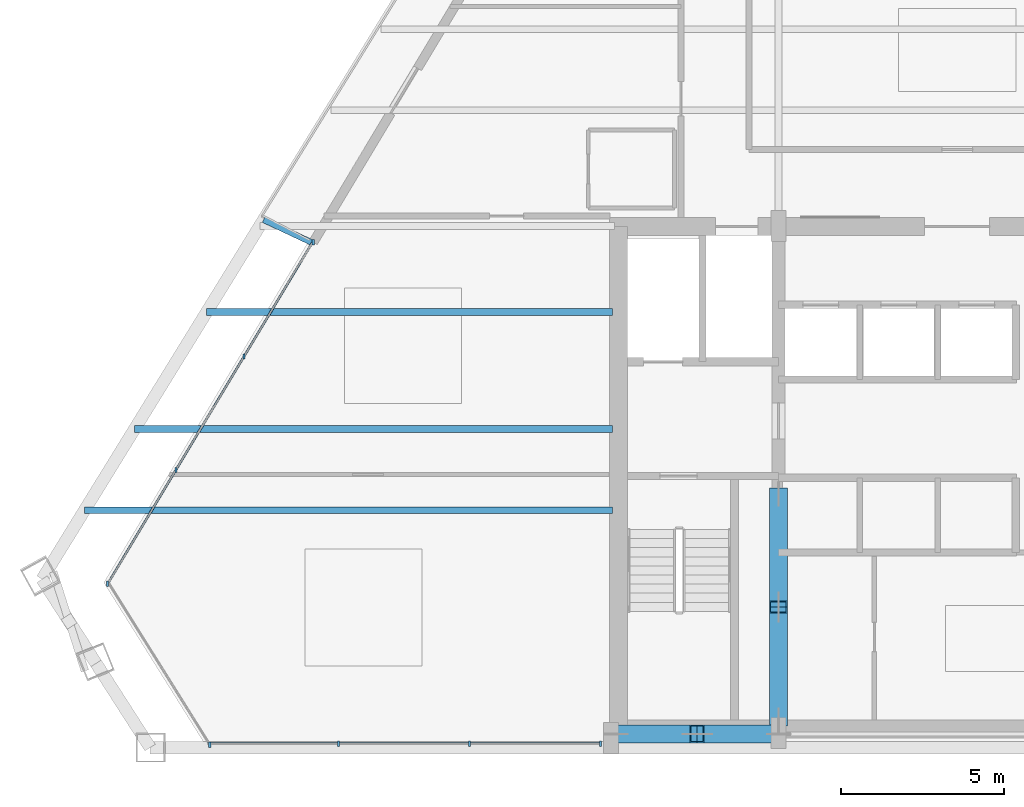
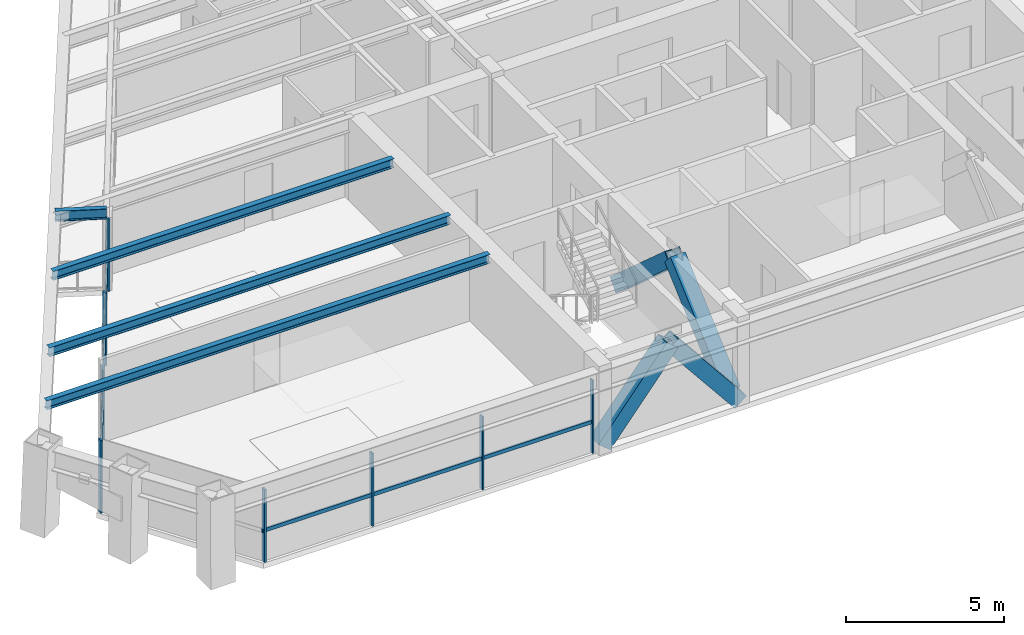
# One storey, part 2 of 12: 18 members, 4 beams, 3 elements without a shape of their own.
"""IFC4 building model written with IfcOpenShell, lengths in metres."""

from ifc_helpers import new_model, si_unit, direction, frame, origin, origin_2d, place, context, subcontext, project, spatial, rectangle, hollow_rectangle, i_section, extrude, source, transform, mapped, material, material_profile, profile_set, type_object, type_shapes, element, aggregate, save


model = new_model("IFC4")

# Units and contexts
model_context = context("Model", 3, precision=1e-05, world=origin(), true_north=direction((0.0, 1.0)))
body_context = subcontext(model_context, "Body", "Model", "MODEL_VIEW")
ifc_project = project(units=[si_unit("LENGTHUNIT", "METRE"), si_unit("AREAUNIT", "SQUARE_METRE"), si_unit("VOLUMEUNIT", "CUBIC_METRE"), si_unit("PLANEANGLEUNIT", "RADIAN"), si_unit("MASSUNIT", "GRAM", prefix="KILO")], contexts=[model_context])

# Site, building, storey
site_placement = place(None, origin())
site = spatial("IfcSite", under=ifc_project, at=site_placement, CompositionType="ELEMENT")
building_placement = place(site_placement, origin())
building = spatial("IfcBuilding", under=site, at=building_placement, Name="Varnakhor Terracotta Tower", CompositionType="ELEMENT")
storey_placement = place(building_placement, frame((0.0, 0.0, 220.0)))
storey = spatial("IfcBuildingStorey", under=building, at=storey_placement, Name="L56", CompositionType="ELEMENT", Elevation=220.0)

# Beams
ifc_material_1 = material(Name="Steel S355", Category="steel")
ifc_material_profile_1 = material_profile(ifc_material_1, i_section(OverallWidth=0.202880859375, OverallDepth=0.346923828125, WebThickness=0.0078125, FlangeThickness=0.013427734375, FilletRadius=0.01806640625, at=origin_2d()), Name="W14X43")
ifc_profile_set_1 = profile_set([ifc_material_profile_1], Name="Steel S355")
beam_type_1 = type_object("IfcBeamType", Name="JST-W14X43", PredefinedType="JOIST", material=ifc_profile_set_1)
shared_shape_1 = source(origin(), body_context, "Body", "SweptSolid", [
    extrude(i_section(OverallWidth=0.202880859375, OverallDepth=0.346923828125, WebThickness=0.0078125, FlangeThickness=0.013427734375, FilletRadius=0.01806640625, at=origin_2d()), origin(), (0.0, 0.0, 1.0), 16.24560546875),
])
beam_1_placement = place(storey_placement, frame((-26.845703125, 7.300048828125, 3.06640625), z_axis=(1.0, 0.0, 0.0), x_axis=(0.0, 1.0, 0.0)))
element("IfcBeam", 1, at=beam_1_placement, inside=storey, type_object=beam_type_1, Name="L56 Floor Joist W1", PredefinedType="JOIST", context=body_context, shape_type="MappedRepresentation", body=[
    mapped(shared_shape_1, transform((0.0, 0.0, 0.0), scale=1.0)),
])
shared_shape_2 = source(origin(), body_context, "Body", "SweptSolid", [
    extrude(i_section(OverallWidth=0.202880859375, OverallDepth=0.346923828125, WebThickness=0.0078125, FlangeThickness=0.013427734375, FilletRadius=0.01806640625, at=origin_2d()), origin(), (0.0, 0.0, 1.0), 14.705322265625),
])
beam_2_placement = place(storey_placement, frame((-25.305419921875, 9.800048828125, 3.06640625), z_axis=(1.0, 0.0, 0.0), x_axis=(0.0, 1.0, 0.0)))
element("IfcBeam", 2, at=beam_2_placement, inside=storey, type_object=beam_type_1, Name="L56 Floor Joist W2", PredefinedType="JOIST", context=body_context, shape_type="MappedRepresentation", body=[
    mapped(shared_shape_2, transform((0.0, 0.0, 0.0), scale=1.0)),
])
shared_shape_3 = source(origin(), body_context, "Body", "SweptSolid", [
    extrude(i_section(OverallWidth=0.202880859375, OverallDepth=0.346923828125, WebThickness=0.0078125, FlangeThickness=0.013427734375, FilletRadius=0.01806640625, at=origin_2d()), origin(), (0.0, 0.0, 1.0), 12.48681640625),
])
beam_3_placement = place(storey_placement, frame((-23.0869140625, 13.39990234375, 3.06640625), z_axis=(1.0, 0.0, 0.0), x_axis=(0.0, 1.0, 0.0)))
element("IfcBeam", 3, at=beam_3_placement, inside=storey, type_object=beam_type_1, Name="L56 Floor Joist W3", PredefinedType="JOIST", context=body_context, shape_type="MappedRepresentation", body=[
    mapped(shared_shape_3, transform((0.0, 0.0, 0.0), scale=1.0)),
])

# Members
ifc_material_profile_2 = material_profile(ifc_material_1, hollow_rectangle(XDim=0.550048828125, YDim=0.550048828125, WallThickness=0.034912109375, at=origin_2d()), Name="HSS550X550X35")
ifc_profile_set_2 = profile_set([ifc_material_profile_2], Name="Steel S355")
member_type_1 = type_object("IfcMemberType", Name="MBR-MEGA-550", PredefinedType="BRACE", material=ifc_profile_set_2)
shared_shape_4 = source(origin(), body_context, "Body", "SweptSolid", [
    extrude(hollow_rectangle(XDim=0.550048828125, YDim=0.550048828125, WallThickness=0.034912109375, at=origin_2d()), origin(), (0.0, 0.0, 1.0), 3.974853515625),
])
for number, where, z_axis, x_axis, name in (
    (4, (-10.5, 0.419921875, 0.0), (0.628970263838, 0.0, 0.777429358339), (0.0, 1.0, 0.0), "L56 Core Coupled Brace CSWA"),
    (5, (-5.5, 0.419921875, 0.0), (-0.628970263838, 0.0, 0.777429358339), (0.0, -1.0, 0.0), "L56 Core Coupled Brace CSWB"),
):
    element("IfcMember", number, at=place(storey_placement, frame(where, z_axis=z_axis, x_axis=x_axis)), inside=storey, type_object=member_type_1, Name=name, PredefinedType="BRACE", context=body_context, shape_type="MappedRepresentation", body=[
        mapped(shared_shape_4, transform((0.0, 0.0, 0.0), scale=1.0)),
    ])
shared_shape_5 = source(origin(), body_context, "Body", "SweptSolid", [
    extrude(hollow_rectangle(XDim=0.550048828125, YDim=0.550048828125, WallThickness=0.034912109375, at=origin_2d()), origin(), (0.0, 0.0, 1.0), 4.650146484375),
])
for number, where, z_axis, x_axis, name in (
    (6, (-5.5, 0.85009765625, 0.0), (0.0, 0.74726736397, 0.664523503532), (-1.0, 0.0, 0.0), "L56 Core Coupled Brace CWWA"),
    (7, (-5.5, 7.800048828125, 0.0), (0.0, -0.74729054724, 0.664497432655), (1.0, 0.0, 0.0), "L56 Core Coupled Brace CWWB"),
):
    element("IfcMember", number, at=place(storey_placement, frame(where, z_axis=z_axis, x_axis=x_axis)), inside=storey, type_object=member_type_1, Name=name, PredefinedType="BRACE", context=body_context, shape_type="MappedRepresentation", body=[
        mapped(shared_shape_5, transform((0.0, 0.0, 0.0), scale=1.0)),
    ])

# Curtain wall, members
ifc_material_2 = material(Name="Anodised Aluminium Curtain Wall System", Category="aluminium")
curtain_wall_type = type_object("IfcCurtainWallType", Name="CW-SYS-HOTEL-LOGGIA", PredefinedType="NOTDEFINED", material=ifc_material_2)
curtain_wall_1_placement = place(storey_placement, origin())
curtain_wall_1 = element("IfcCurtainWall", 8, at=curtain_wall_1_placement, inside=storey, type_object=curtain_wall_type, Name="L56 W Facet Curtain Wall 1", PredefinedType="NOTDEFINED")
ifc_material_3 = material(Name="Anodised Aluminium 6063-T6", Category="aluminium")
ifc_material_profile_3 = material_profile(ifc_material_3, rectangle(XDim=0.06494140625, YDim=0.159912109375, at=origin_2d()), Name="ALU MULLION 65x160")
ifc_profile_set_3 = profile_set([ifc_material_profile_3], Name="Anodised Aluminium 6063-T6")
member_type_2 = type_object("IfcMemberType", Name="CWM-04", PredefinedType="MULLION", material=ifc_profile_set_3)
shared_shape_6 = source(origin(), body_context, "Body", "SweptSolid", [
    extrude(rectangle(XDim=0.06494140625, YDim=0.159912109375, at=origin_2d()), origin(), (0.0, 0.0, 1.0), 2.820068359375),
])
type_shapes(member_type_2, [shared_shape_6])
member_1_placement = place(storey_placement, frame((-26.134765625, 5.037353515625, 0.0), z_axis=(0.0, 0.0, 1.0), x_axis=(1.0, 0.0, 0.0)))
member_1 = element("IfcMember", 9, at=member_1_placement, type_object=member_type_2, Name="L56 W Facet Curtain Wall 1 Mullion 1", PredefinedType="MULLION", context=body_context, shape_type="MappedRepresentation", body=[
    mapped(shared_shape_6, transform((0.0, 0.0, 0.0), scale=1.0)),
])
member_2_placement = place(storey_placement, frame((-24.036865234375, 8.53515625, 0.0), z_axis=(0.0, 0.0, 1.0), x_axis=(1.0, 0.0, 0.0)))
member_2 = element("IfcMember", 10, at=member_2_placement, type_object=member_type_2, Name="L56 W Facet Curtain Wall 1 Mullion 2", PredefinedType="MULLION", context=body_context, shape_type="MappedRepresentation", body=[
    mapped(shared_shape_6, transform((0.0, 0.0, 0.0), scale=1.0)),
])
member_3_placement = place(storey_placement, frame((-21.93896484375, 12.03271484375, 0.0), z_axis=(0.0, 0.0, 1.0), x_axis=(1.0, 0.0, 0.0)))
member_3 = element("IfcMember", 11, at=member_3_placement, type_object=member_type_2, Name="L56 W Facet Curtain Wall 1 Mullion 3", PredefinedType="MULLION", context=body_context, shape_type="MappedRepresentation", body=[
    mapped(shared_shape_6, transform((0.0, 0.0, 0.0), scale=1.0)),
])
member_4_placement = place(storey_placement, frame((-19.808349609375, 15.5458984375, 0.0), z_axis=(0.0, 0.0, 1.0), x_axis=(1.0, 0.0, 0.0)))
member_4 = element("IfcMember", 12, at=member_4_placement, type_object=member_type_2, Name="L56 W Loggia Jamb Closure Mullion 1", PredefinedType="MULLION", context=body_context, shape_type="MappedRepresentation", body=[
    mapped(shared_shape_6, transform((0.0, 0.0, 0.0), scale=1.0)),
])

curtain_wall_2_placement = place(storey_placement, origin())
curtain_wall_2 = element("IfcCurtainWall", 13, at=curtain_wall_2_placement, inside=storey, type_object=curtain_wall_type, Name="L56 South Wing Curtain Wall SSW", PredefinedType="NOTDEFINED")
member_5_placement = place(storey_placement, frame((-10.969970703125, 0.1201171875, 0.0), z_axis=(0.0, 0.0, 1.0), x_axis=(1.0, 0.0, 0.0)))
member_5 = element("IfcMember", 14, at=member_5_placement, type_object=member_type_2, Name="L56 South Wing Curtain Wall SSW Mullion 1", PredefinedType="MULLION", context=body_context, shape_type="MappedRepresentation", body=[
    mapped(shared_shape_6, transform((0.0, 0.0, 0.0), scale=1.0)),
])
member_6_placement = place(storey_placement, frame((-15.002685546875, 0.1201171875, 0.0), z_axis=(0.0, 0.0, 1.0), x_axis=(1.0, 0.0, 0.0)))
member_6 = element("IfcMember", 15, at=member_6_placement, type_object=member_type_2, Name="L56 South Wing Curtain Wall SSW Mullion 2", PredefinedType="MULLION", context=body_context, shape_type="MappedRepresentation", body=[
    mapped(shared_shape_6, transform((0.0, 0.0, 0.0), scale=1.0)),
])
member_7_placement = place(storey_placement, frame((-19.03515625, 0.1201171875, 0.0), z_axis=(0.0, 0.0, 1.0), x_axis=(1.0, 0.0, 0.0)))
member_7 = element("IfcMember", 16, at=member_7_placement, type_object=member_type_2, Name="L56 South Wing Curtain Wall SSW Mullion 3", PredefinedType="MULLION", context=body_context, shape_type="MappedRepresentation", body=[
    mapped(shared_shape_6, transform((0.0, 0.0, 0.0), scale=1.0)),
])

# Curtain wall, member
curtain_wall_3_placement = place(storey_placement, origin())
curtain_wall_3 = element("IfcCurtainWall", 17, at=curtain_wall_3_placement, inside=storey, type_object=curtain_wall_type, Name="L56 Facet Curtain Wall 6", PredefinedType="NOTDEFINED")
member_8_placement = place(storey_placement, frame((-22.991943359375, 0.089111328125, 0.0), z_axis=(0.0, 0.0, 1.0), x_axis=(1.0, 0.0, 0.0)))
member_8 = element("IfcMember", 18, at=member_8_placement, type_object=member_type_2, Name="L56 Facet Curtain Wall 6 Mullion 1", PredefinedType="MULLION", context=body_context, shape_type="MappedRepresentation", body=[
    mapped(shared_shape_6, transform((0.0, 0.0, 0.0), scale=1.0)),
])
aggregate(curtain_wall_3, [member_8])

# Member
ifc_material_profile_4 = material_profile(ifc_material_3, rectangle(XDim=0.06494140625, YDim=0.14501953125, at=origin_2d()), Name="ALU TRANSOM 65x145")
ifc_profile_set_4 = profile_set([ifc_material_profile_4], Name="Anodised Aluminium 6063-T6")
member_type_3 = type_object("IfcMemberType", Name="CWT-04", PredefinedType="USERDEFINED", material=ifc_profile_set_4)
shared_shape_7 = source(origin(), body_context, "Body", "SweptSolid", [
    extrude(rectangle(XDim=0.06494140625, YDim=0.14501953125, at=origin_2d()), origin(), (0.0, 0.0, 1.0), 4.07861328125),
])
type_shapes(member_type_3, [shared_shape_7])
member_9_placement = place(storey_placement, frame((-26.134765625, 5.037353515625, 1.184326171875), z_axis=(0.514354907473, 0.857577418755, 0.0), x_axis=(-0.857577418755, 0.514354907473, 0.0)))
member_9 = element("IfcMember", 19, at=member_9_placement, type_object=member_type_3, Name="L56 W Facet Curtain Wall 1 Transom 1", ObjectType="TRANSOM", PredefinedType="USERDEFINED", context=body_context, shape_type="MappedRepresentation", body=[
    mapped(shared_shape_7, transform((0.0, 0.0, 0.0), scale=1.0)),
])

member_10_placement = place(storey_placement, frame((-24.036865234375, 8.53515625, 1.184326171875), z_axis=(0.514381311647, 0.857561581596, 0.0), x_axis=(-0.857561581596, 0.514381311647, 0.0)))
member_10 = element("IfcMember", 20, at=member_10_placement, type_object=member_type_3, Name="L56 W Facet Curtain Wall 1 Transom 2", ObjectType="TRANSOM", PredefinedType="USERDEFINED", context=body_context, shape_type="MappedRepresentation", body=[
    mapped(shared_shape_7, transform((0.0, 0.0, 0.0), scale=1.0)),
])

member_11_placement = place(storey_placement, frame((-21.93896484375, 12.03271484375, 1.184326171875), z_axis=(0.514354907473, 0.857577418755, 0.0), x_axis=(-0.857577418755, 0.514354907473, 0.0)))
member_11 = element("IfcMember", 21, at=member_11_placement, type_object=member_type_3, Name="L56 W Facet Curtain Wall 1 Transom 3", ObjectType="TRANSOM", PredefinedType="USERDEFINED", context=body_context, shape_type="MappedRepresentation", body=[
    mapped(shared_shape_7, transform((0.0, 0.0, 0.0), scale=1.0)),
])

aggregate(curtain_wall_1, [member_1, member_9, member_2, member_10, member_3, member_11, member_4])

shared_shape_8 = source(origin(), body_context, "Body", "SweptSolid", [
    extrude(rectangle(XDim=0.06494140625, YDim=0.14501953125, at=origin_2d()), origin(), (0.0, 0.0, 1.0), 4.03271484375),
])
member_12_placement = place(storey_placement, frame((-10.969970703125, 0.1201171875, 1.184326171875), z_axis=(-1.0, 0.0, 0.0), x_axis=(0.0, -1.0, 0.0)))
member_12 = element("IfcMember", 22, at=member_12_placement, type_object=member_type_3, Name="L56 South Wing Curtain Wall SSW Transom 1", ObjectType="TRANSOM", PredefinedType="USERDEFINED", context=body_context, shape_type="MappedRepresentation", body=[
    mapped(shared_shape_8, transform((0.0, 0.0, 0.0), scale=1.0)),
])

shared_shape_9 = source(origin(), body_context, "Body", "SweptSolid", [
    extrude(rectangle(XDim=0.06494140625, YDim=0.14501953125, at=origin_2d()), origin(), (0.0, 0.0, 1.0), 4.032470703125),
])
member_13_placement = place(storey_placement, frame((-15.002685546875, 0.1201171875, 1.184326171875), z_axis=(-1.0, 0.0, 0.0), x_axis=(0.0, -1.0, 0.0)))
member_13 = element("IfcMember", 23, at=member_13_placement, type_object=member_type_3, Name="L56 South Wing Curtain Wall SSW Transom 2", ObjectType="TRANSOM", PredefinedType="USERDEFINED", context=body_context, shape_type="MappedRepresentation", body=[
    mapped(shared_shape_9, transform((0.0, 0.0, 0.0), scale=1.0)),
])

member_14_placement = place(storey_placement, frame((-19.03515625, 0.1201171875, 1.184326171875), z_axis=(-1.0, 0.0, 0.0), x_axis=(0.0, -1.0, 0.0)))
member_14 = element("IfcMember", 24, at=member_14_placement, type_object=member_type_3, Name="L56 South Wing Curtain Wall SSW Transom 3", ObjectType="TRANSOM", PredefinedType="USERDEFINED", context=body_context, shape_type="MappedRepresentation", body=[
    mapped(shared_shape_9, transform((0.0, 0.0, 0.0), scale=1.0)),
])

aggregate(curtain_wall_2, [member_5, member_12, member_6, member_13, member_7, member_14])

# Beam
ifc_material_profile_5 = material_profile(ifc_material_1, i_section(OverallWidth=0.179931640625, OverallDepth=0.39990234375, WebThickness=0.008544921875, FlangeThickness=0.013427734375, FilletRadius=0.01806640625, at=origin_2d()), Name="IPE400")
ifc_profile_set_5 = profile_set([ifc_material_profile_5], Name="Steel S355")
beam_type_2 = type_object("IfcBeamType", Name="JST-IPE400", PredefinedType="JOIST", material=ifc_profile_set_5)
shared_shape_10 = source(origin(), body_context, "Body", "SweptSolid", [
    extrude(i_section(OverallWidth=0.179931640625, OverallDepth=0.39990234375, WebThickness=0.008544921875, FlangeThickness=0.013427734375, FilletRadius=0.01806640625, at=origin_2d()), origin(), (0.0, 0.0, 1.0), 1.64013671875),
])
beam_4_placement = place(storey_placement, frame((-19.856201171875, 15.53564453125, 3.0400390625), z_axis=(-0.904234278217, 0.427036731556, 0.0), x_axis=(-0.427036731556, -0.904234278217, 0.0)))
element("IfcBeam", 25, at=beam_4_placement, inside=storey, type_object=beam_type_2, Name="L57 W Loggia Tie Beam 1", PredefinedType="JOIST", context=body_context, shape_type="MappedRepresentation", body=[
    mapped(shared_shape_10, transform((0.0, 0.0, 0.0), scale=1.0)),
])

save(model, "model.ifc")
